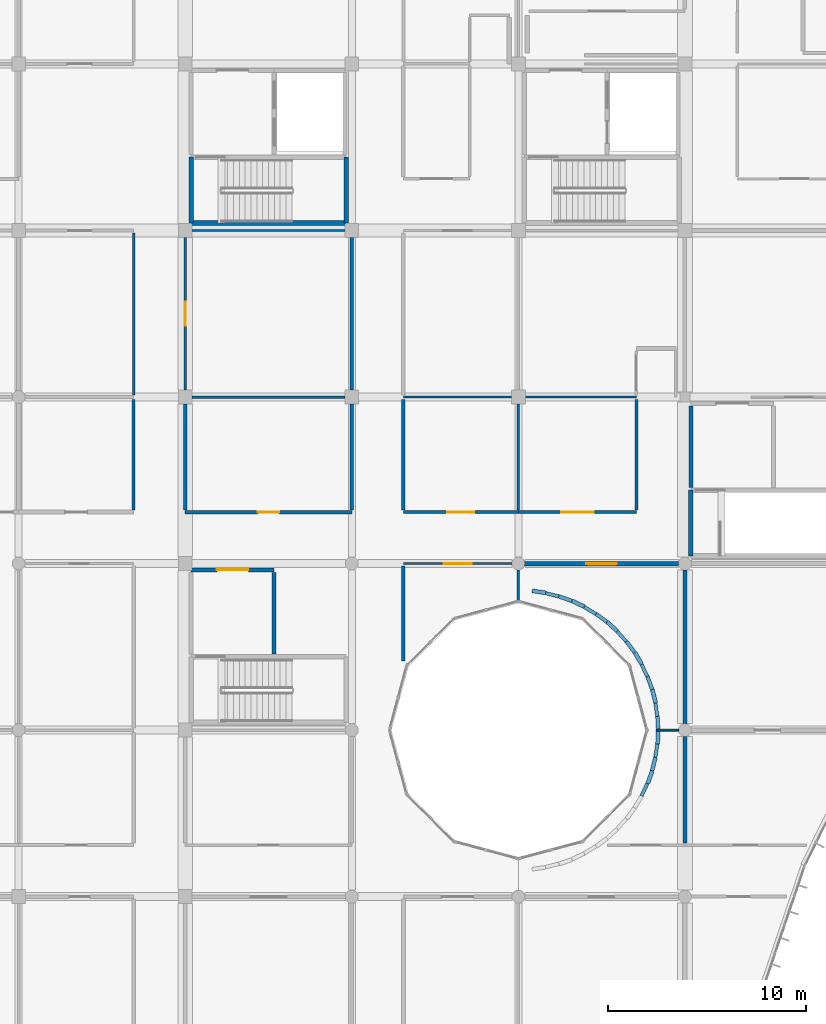
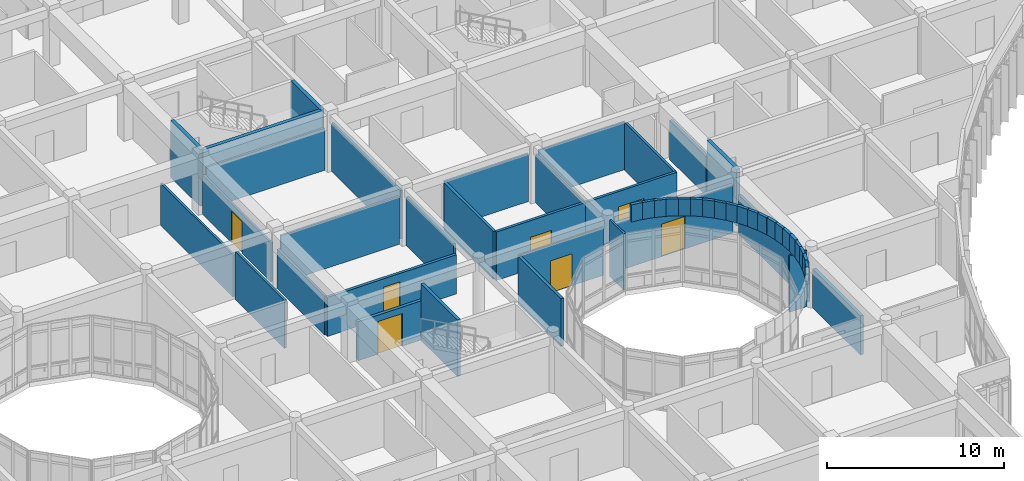
# One storey, part 91 of 119: 50 walls, 7 doors, 7 openings.
"""IFC4 building model written with IfcOpenShell, lengths in metres."""

from ifc_helpers import new_model, si_unit, direction, frame, frame_2d, origin, place, context, subcontext, project, spatial, rectangle, extrude, material, layer, layer_set, type_object, element, fill, save


model = new_model("IFC4")

# Units and contexts
model_context = context("Model", 3, precision=1e-05, world=origin(), true_north=direction((0.0, 1.0)))
body_context = subcontext(model_context, "Body", "Model", "MODEL_VIEW")
ifc_project = project(units=[si_unit("LENGTHUNIT", "METRE"), si_unit("AREAUNIT", "SQUARE_METRE"), si_unit("VOLUMEUNIT", "CUBIC_METRE"), si_unit("PLANEANGLEUNIT", "RADIAN"), si_unit("MASSUNIT", "GRAM", prefix="KILO")], contexts=[model_context])

# Site, building, storey
site_placement = place(None, origin())
site = spatial("IfcSite", under=ifc_project, at=site_placement, CompositionType="ELEMENT")
building_placement = place(site_placement, origin())
building = spatial("IfcBuilding", under=site, at=building_placement, Name="Bramfleet General Hospital", CompositionType="ELEMENT")
storey_placement = place(building_placement, frame((0.0, 0.0, 14.39990234375)))
storey = spatial("IfcBuildingStorey", under=building, at=storey_placement, Name="L03", CompositionType="ELEMENT", Elevation=14.39990234375)

# Wall, opening, door
ifc_material_1 = material(Name="Concrete C35/45", Category="concrete")
ifc_layer_1 = layer(ifc_material_1, 0.219970703125, Name="WT-IW-01")
ifc_layer_set_1 = layer_set([ifc_layer_1], Name="Concrete C35/45")
wall_type_1 = type_object("IfcWallType", Name="WT-IW-01", PredefinedType="PARTITIONING", material=ifc_layer_set_1)
wall_1_placement = place(storey_placement, frame((117.919921875, 75.60009765625, 0.0), z_axis=(0.0, 0.0, 1.0), x_axis=(1.0, 0.0, 0.0)))
wall_1 = element("IfcWall", 1, at=wall_1_placement, inside=storey, type_object=wall_type_1, Name="L03 Interior Partition IW-L03-2593", PredefinedType="PARTITIONING", context=body_context, shape_type="SweptSolid", body=[
    extrude(rectangle(XDim=7.760009765625, YDim=0.219970703125, at=frame_2d((3.8798828125, 0.0))), origin(), (0.0, 0.0, 1.0), 3.2900390625),
])
opening_1_placement = place(wall_1_placement, frame((3.110107421875, 0.0, 0.0)))
opening_1 = element("IfcOpeningElement", 2, at=opening_1_placement, cuts=wall_1, Name="Opening D1169", PredefinedType="OPENING", context=body_context, shape_type="SweptSolid", body=[
    extrude(rectangle(XDim=1.5400390625, YDim=2.239990234375, at=frame_2d((0.77001953125, 1.1201171875))), frame((0.0, 0.119873046875, 0.0), z_axis=(0.0, -1.0, 0.0), x_axis=(1.0, 0.0, 0.0)), (0.0, 0.0, 1.0), 0.239990234375),
])
ifc_material_2 = material(Name="Stainless steel and acoustic timber leaf", Category="steel")
door_type_1 = type_object("IfcDoorType", Name="DR-D-17", OperationType="NOTDEFINED", PredefinedType="DOOR", material=ifc_material_2)
door_1_placement = place(opening_1_placement, origin())
door_1 = element("IfcDoor", 3, at=door_1_placement, inside=storey, type_object=door_type_1, Name="Courtyard Waiting Lounge L03-1408 Door D1169", OperationType="SINGLE_SWING_RIGHT", OverallHeight=2.239990234375, OverallWidth=1.5400390625, PredefinedType="DOOR", context=body_context, shape_type="SweptSolid", body=[
    extrude(rectangle(XDim=1.5400390625, YDim=2.239990234375, at=frame_2d((0.77001953125, 1.1201171875))), frame((0.0, 0.02490234375, 0.0), z_axis=(0.0, -1.0, 0.0), x_axis=(1.0, 0.0, 0.0)), (0.0, 0.0, 1.0), 0.050048828125),
])
fill(opening_1, door_1)

# Wall
ifc_layer_2 = layer(ifc_material_1, 0.205078125, Name="WT-IW-02")
ifc_layer_set_2 = layer_set([ifc_layer_2], Name="Concrete C35/45")
wall_type_2 = type_object("IfcWallType", Name="WT-IW-02", PredefinedType="PARTITIONING", material=ifc_layer_set_2)
wall_2_placement = place(storey_placement, frame((105.280029296875, 71.0400390625, 0.0), z_axis=(0.0, 0.0, 1.0), x_axis=(0.0, 1.0, 0.0)))
element("IfcWall", 4, at=wall_2_placement, inside=storey, type_object=wall_type_2, Name="L03 C11 Lobby East Shaft Wall", PredefinedType="PARTITIONING", context=body_context, shape_type="SweptSolid", body=[
    extrude(rectangle(XDim=4.119873046875, YDim=0.205078125, at=frame_2d((2.06005859375, 0.0))), origin(), (0.0, 0.0, 1.0), 3.89013671875),
])

# Wall, opening, door
wall_3_placement = place(storey_placement, frame((101.10009765625, 75.280029296875, 0.0), z_axis=(0.0, 0.0, 1.0), x_axis=(1.0, 0.0, 0.0)))
wall_3 = element("IfcWall", 5, at=wall_3_placement, inside=storey, type_object=wall_type_2, Name="L03 C11 Lobby North Compartment Wall", PredefinedType="PARTITIONING", context=body_context, shape_type="SweptSolid", body=[
    extrude(rectangle(XDim=4.179931640625, YDim=0.205078125, at=frame_2d((2.08984375, 0.0))), origin(), (0.0, 0.0, 1.0), 2.690185546875),
])
opening_2_placement = place(wall_3_placement, frame((1.2900390625, 0.0, 0.0)))
opening_2 = element("IfcOpeningElement", 6, at=opening_2_placement, cuts=wall_3, Name="Opening D0146", PredefinedType="OPENING", context=body_context, shape_type="SweptSolid", body=[
    extrude(rectangle(XDim=1.60009765625, YDim=2.25, at=frame_2d((0.800048828125, 1.125))), frame((0.0, 0.112548828125, 0.0), z_axis=(0.0, -1.0, 0.0), x_axis=(1.0, 0.0, 0.0)), (0.0, 0.0, 1.0), 0.22509765625),
])
door_type_2 = type_object("IfcDoorType", Name="DR-D-04", OperationType="NOTDEFINED", PredefinedType="DOOR", material=ifc_material_2)
door_2_placement = place(opening_2_placement, origin())
door_2 = element("IfcDoor", 7, at=door_2_placement, inside=storey, type_object=door_type_2, Name="L03 C11 Lobby Fire Door D0146", OperationType="DOUBLE_SWING_LEFT", OverallHeight=2.25, OverallWidth=1.60009765625, PredefinedType="DOOR", context=body_context, shape_type="SweptSolid", body=[
    extrude(rectangle(XDim=1.60009765625, YDim=2.25, at=frame_2d((0.800048828125, 1.125))), frame((0.0, 0.02490234375, 0.0), z_axis=(0.0, -1.0, 0.0), x_axis=(1.0, 0.0, 0.0)), (0.0, 0.0, 1.0), 0.050048828125),
])
fill(opening_2, door_2)

# Walls
wall_4_placement = place(storey_placement, frame((126.300048828125, 79.43994140625, 0.0), z_axis=(0.0, 0.0, 1.0), x_axis=(0.0, 1.0, 0.0)))
element("IfcWall", 8, at=wall_4_placement, inside=storey, type_object=wall_type_2, Name="L03 C12 Lobby West Compartment Wall", PredefinedType="PARTITIONING", context=body_context, shape_type="SweptSolid", body=[
    extrude(rectangle(XDim=4.1201171875, YDim=0.205078125, at=frame_2d((2.06005859375, 0.0))), origin(), (0.0, 0.0, 1.0), 2.690185546875),
])
wall_5_placement = place(storey_placement, frame((126.0, 61.514892578125, 0.0), z_axis=(0.0, 0.0, 1.0), x_axis=(0.0, 1.0, 0.0)))
element("IfcWall", 9, at=wall_5_placement, inside=storey, type_object=wall_type_2, Name="L03 Interior Partition IW-L03-3002", PredefinedType="PARTITIONING", context=body_context, shape_type="SweptSolid", body=[
    extrude(rectangle(XDim=5.364990234375, YDim=0.205078125, at=frame_2d((2.6826171875, 0.0))), origin(), (0.0, 0.0, 1.0), 2.690185546875),
])
ifc_layer_3 = layer(ifc_material_1, 0.18994140625, Name="WT-IW-03")
ifc_layer_set_3 = layer_set([ifc_layer_3], Name="Concrete C35/45")
wall_type_3 = type_object("IfcWallType", Name="WT-IW-03", PredefinedType="PARTITIONING", material=ifc_layer_set_3)
wall_6_placement = place(storey_placement, frame((111.800048828125, 70.675048828125, 0.0), z_axis=(0.0, 0.0, 1.0), x_axis=(0.0, 1.0, 0.0)))
element("IfcWall", 10, at=wall_6_placement, inside=storey, type_object=wall_type_3, Name="L03 Interior Partition IW-L03-2967", PredefinedType="PARTITIONING", context=body_context, shape_type="SweptSolid", body=[
    extrude(rectangle(XDim=4.81005859375, YDim=0.18994140625, at=frame_2d((2.405029296875, 0.0))), origin(), (0.0, 0.0, 1.0), 3.2900390625),
])
wall_7_placement = place(storey_placement, frame((126.0, 67.52001953125, 0.0), z_axis=(0.0, 0.0, 1.0), x_axis=(0.0, 1.0, 0.0)))
element("IfcWall", 11, at=wall_7_placement, inside=storey, type_object=wall_type_3, Name="L03 Interior Partition IW-L03-3003", PredefinedType="PARTITIONING", context=body_context, shape_type="SweptSolid", body=[
    extrude(rectangle(XDim=7.760009765625, YDim=0.18994140625, at=frame_2d((3.8798828125, 0.0))), origin(), (0.0, 0.0, 1.0), 2.690185546875),
])

# Wall, opening, door
ifc_layer_4 = layer(ifc_material_1, 0.179931640625, Name="WT-IW-04")
ifc_layer_set_4 = layer_set([ifc_layer_4], Name="Concrete C35/45")
wall_type_4 = type_object("IfcWallType", Name="WT-IW-04", PredefinedType="PARTITIONING", material=ifc_layer_set_4)
wall_8_placement = place(storey_placement, frame((100.800048828125, 78.199951171875, 0.0), z_axis=(0.0, 0.0, 1.0), x_axis=(1.0, 0.0, 0.0)))
wall_8 = element("IfcWall", 12, at=wall_8_placement, inside=storey, type_object=wall_type_4, Name="L03 Interior Partition IW-L03-2608", PredefinedType="PARTITIONING", context=body_context, shape_type="SweptSolid", body=[
    extrude(rectangle(XDim=8.39990234375, YDim=0.179931640625, at=frame_2d((4.199951171875, 0.0))), origin(), (0.0, 0.0, 1.0), 2.690185546875),
])
opening_3_placement = place(wall_8_placement, frame((3.659912109375, 0.0, 0.0)))
opening_3 = element("IfcOpeningElement", 13, at=opening_3_placement, cuts=wall_8, Name="Opening D1142", PredefinedType="OPENING", context=body_context, shape_type="SweptSolid", body=[
    extrude(rectangle(XDim=1.080078125, YDim=2.1201171875, at=frame_2d((0.5400390625, 1.06005859375))), frame((0.0, 0.099853515625, 0.0), z_axis=(0.0, -1.0, 0.0), x_axis=(1.0, 0.0, 0.0)), (0.0, 0.0, 1.0), 0.199951171875),
])
door_type_3 = type_object("IfcDoorType", Name="DR-D-22", OperationType="NOTDEFINED", PredefinedType="DOOR", material=ifc_material_2)
door_3_placement = place(opening_3_placement, origin())
door_3 = element("IfcDoor", 14, at=door_3_placement, inside=storey, type_object=door_type_3, Name="Maternity Delivery Suite and Clinical Lab L03-1209 Door D1142", OperationType="SINGLE_SWING_LEFT", OverallHeight=2.1201171875, OverallWidth=1.080078125, PredefinedType="DOOR", context=body_context, shape_type="SweptSolid", body=[
    extrude(rectangle(XDim=1.080078125, YDim=2.1201171875, at=frame_2d((0.5400390625, 1.06005859375))), frame((0.0, 0.02490234375, 0.0), z_axis=(0.0, -1.0, 0.0), x_axis=(1.0, 0.0, 0.0)), (0.0, 0.0, 1.0), 0.050048828125),
])
fill(opening_3, door_3)

# Wall
wall_9_placement = place(storey_placement, frame((111.800048828125, 78.31494140625, 0.0), z_axis=(0.0, 0.0, 1.0), x_axis=(0.0, 1.0, 0.0)))
element("IfcWall", 15, at=wall_9_placement, inside=storey, type_object=wall_type_4, Name="L03 Interior Partition IW-L03-2968", PredefinedType="PARTITIONING", context=body_context, shape_type="SweptSolid", body=[
    extrude(rectangle(XDim=5.570068359375, YDim=0.179931640625, at=frame_2d((2.78515625, 0.0))), origin(), (0.0, 0.0, 1.0), 3.2900390625),
])

# Wall, opening, door
ifc_material_3 = material(Name="Gypsum plasterboard on acoustic steel studs", Category="steel")
ifc_layer_5 = layer(ifc_material_3, 0.169921875, Name="WT-IW-05")
ifc_layer_set_5 = layer_set([ifc_layer_5], Name="Gypsum plasterboard on acoustic steel studs")
wall_type_5 = type_object("IfcWallType", Name="WT-IW-05", PredefinedType="PARTITIONING", material=ifc_layer_set_5)
wall_10_placement = place(storey_placement, frame((111.800048828125, 78.199951171875, 0.0), z_axis=(0.0, 0.0, 1.0), x_axis=(1.0, 0.0, 0.0)))
wall_10 = element("IfcWall", 16, at=wall_10_placement, inside=storey, type_object=wall_type_5, Name="L03 Interior Partition IW-L03-2609", PredefinedType="PARTITIONING", context=body_context, shape_type="SweptSolid", body=[
    extrude(rectangle(XDim=5.800048828125, YDim=0.169921875, at=frame_2d((2.89990234375, 0.0))), origin(), (0.0, 0.0, 1.0), 3.340087890625),
])
opening_4_placement = place(wall_10_placement, frame((2.22509765625, 0.0, 0.0)))
opening_4 = element("IfcOpeningElement", 17, at=opening_4_placement, cuts=wall_10, Name="Opening D1154", PredefinedType="OPENING", context=body_context, shape_type="SweptSolid", body=[
    extrude(rectangle(XDim=1.35009765625, YDim=2.199951171875, at=frame_2d((0.675048828125, 1.10009765625))), frame((0.0, 0.094970703125, 0.0), z_axis=(0.0, -1.0, 0.0), x_axis=(1.0, 0.0, 0.0)), (0.0, 0.0, 1.0), 0.18994140625),
])
door_type_4 = type_object("IfcDoorType", Name="DR-D-02", OperationType="NOTDEFINED", PredefinedType="DOOR", material=ifc_material_2)
door_4_placement = place(opening_4_placement, origin())
door_4 = element("IfcDoor", 18, at=door_4_placement, inside=storey, type_object=door_type_4, Name="Maternity Delivery Suite and Clinical Lab L03-1309 Door D1154", OperationType="SINGLE_SWING_LEFT", OverallHeight=2.199951171875, OverallWidth=1.35009765625, PredefinedType="DOOR", context=body_context, shape_type="SweptSolid", body=[
    extrude(rectangle(XDim=1.35009765625, YDim=2.199951171875, at=frame_2d((0.675048828125, 1.10009765625))), frame((0.0, 0.02490234375, 0.0), z_axis=(0.0, -1.0, 0.0), x_axis=(1.0, 0.0, 0.0)), (0.0, 0.0, 1.0), 0.050048828125),
])
fill(opening_4, door_4)

# Wall
wall_11_placement = place(storey_placement, frame((109.199951171875, 78.31494140625, 0.0), z_axis=(0.0, 0.0, 1.0), x_axis=(0.0, 1.0, 0.0)))
element("IfcWall", 19, at=wall_11_placement, inside=storey, type_object=wall_type_5, Name="L03 Interior Partition IW-L03-2957", PredefinedType="PARTITIONING", context=body_context, shape_type="SweptSolid", body=[
    extrude(rectangle(XDim=5.340087890625, YDim=0.169921875, at=frame_2d((2.669921875, 0.0))), origin(), (0.0, 0.0, 1.0), 3.340087890625),
])

# Wall, opening, door
ifc_layer_6 = layer(ifc_material_3, 0.159912109375, Name="WT-IW-06")
ifc_layer_set_6 = layer_set([ifc_layer_6], Name="Gypsum plasterboard on acoustic steel studs")
wall_type_6 = type_object("IfcWallType", Name="WT-IW-06", PredefinedType="PARTITIONING", material=ifc_layer_set_6)
wall_12_placement = place(storey_placement, frame((117.60009765625, 78.199951171875, 0.0), z_axis=(0.0, 0.0, 1.0), x_axis=(1.0, 0.0, 0.0)))
wall_12 = element("IfcWall", 20, at=wall_12_placement, inside=storey, type_object=wall_type_6, Name="L03 Interior Partition IW-L03-2610", PredefinedType="PARTITIONING", context=body_context, shape_type="SweptSolid", body=[
    extrude(rectangle(XDim=5.949951171875, YDim=0.159912109375, at=frame_2d((2.97509765625, 0.0))), origin(), (0.0, 0.0, 1.0), 3.340087890625),
])
opening_5_placement = place(wall_12_placement, frame((2.155029296875, 0.0, 0.0)))
opening_5 = element("IfcOpeningElement", 21, at=opening_5_placement, cuts=wall_12, Name="Opening D1170", PredefinedType="OPENING", context=body_context, shape_type="SweptSolid", body=[
    extrude(rectangle(XDim=1.639892578125, YDim=2.280029296875, at=frame_2d((0.81982421875, 1.14013671875))), frame((0.0, 0.08984375, 0.0), z_axis=(0.0, -1.0, 0.0), x_axis=(1.0, 0.0, 0.0)), (0.0, 0.0, 1.0), 0.179931640625),
])
door_type_5 = type_object("IfcDoorType", Name="DR-D-18", OperationType="NOTDEFINED", PredefinedType="DOOR", material=ifc_material_2)
door_5_placement = place(opening_5_placement, origin())
door_5 = element("IfcDoor", 22, at=door_5_placement, inside=storey, type_object=door_type_5, Name="Maternity Delivery Suite and Clinical Lab L03-1409 Door D1170", OperationType="DOUBLE_SWING_LEFT", OverallHeight=2.280029296875, OverallWidth=1.639892578125, PredefinedType="DOOR", context=body_context, shape_type="SweptSolid", body=[
    extrude(rectangle(XDim=1.639892578125, YDim=2.280029296875, at=frame_2d((0.81982421875, 1.14013671875))), frame((0.0, 0.02490234375, 0.0), z_axis=(0.0, -1.0, 0.0), x_axis=(1.0, 0.0, 0.0)), (0.0, 0.0, 1.0), 0.050048828125),
])
fill(opening_5, door_5)

# Walls
wall_13_placement = place(storey_placement, frame((100.800048828125, 78.31494140625, 0.0), z_axis=(0.0, 0.0, 1.0), x_axis=(0.0, 1.0, 0.0)))
element("IfcWall", 23, at=wall_13_placement, inside=storey, type_object=wall_type_6, Name="L03 Interior Partition IW-L03-2946", PredefinedType="PARTITIONING", context=body_context, shape_type="SweptSolid", body=[
    extrude(rectangle(XDim=5.340087890625, YDim=0.159912109375, at=frame_2d((2.669921875, 0.0))), origin(), (0.0, 0.0, 1.0), 2.690185546875),
])
wall_14_placement = place(storey_placement, frame((109.199951171875, 84.344970703125, 0.0), z_axis=(0.0, 0.0, 1.0), x_axis=(0.0, 1.0, 0.0)))
element("IfcWall", 24, at=wall_14_placement, inside=storey, type_object=wall_type_6, Name="L03 Interior Partition IW-L03-2958", PredefinedType="PARTITIONING", context=body_context, shape_type="SweptSolid", body=[
    extrude(rectangle(XDim=7.7099609375, YDim=0.159912109375, at=frame_2d((3.85498046875, 0.0))), origin(), (0.0, 0.0, 1.0), 3.340087890625),
])
ifc_layer_7 = layer(ifc_material_3, 0.14990234375, Name="WT-IW-07")
ifc_layer_set_7 = layer_set([ifc_layer_7], Name="Gypsum plasterboard on acoustic steel studs")
wall_type_7 = type_object("IfcWallType", Name="WT-IW-07", PredefinedType="PARTITIONING", material=ifc_layer_set_7)
wall_15_placement = place(storey_placement, frame((98.199951171875, 78.31494140625, 0.0), z_axis=(0.0, 0.0, 1.0), x_axis=(0.0, 1.0, 0.0)))
element("IfcWall", 25, at=wall_15_placement, inside=storey, type_object=wall_type_7, Name="L03 Interior Partition IW-L03-2935", PredefinedType="PARTITIONING", context=body_context, shape_type="SweptSolid", body=[
    extrude(rectangle(XDim=5.570068359375, YDim=0.14990234375, at=frame_2d((2.78515625, 0.0))), origin(), (0.0, 0.0, 1.0), 3.2900390625),
])

# Wall, opening, door
wall_16_placement = place(storey_placement, frame((100.800048828125, 84.344970703125, 0.0), z_axis=(0.0, 0.0, 1.0), x_axis=(0.0, 1.0, 0.0)))
wall_16 = element("IfcWall", 26, at=wall_16_placement, inside=storey, type_object=wall_type_7, Name="L03 Interior Partition IW-L03-2947", PredefinedType="PARTITIONING", context=body_context, shape_type="SweptSolid", body=[
    extrude(rectangle(XDim=7.7099609375, YDim=0.14990234375, at=frame_2d((3.85498046875, 0.0))), origin(), (0.0, 0.0, 1.0), 2.690185546875),
])
opening_6_placement = place(wall_16_placement, frame((3.2451171875, 0.0, 0.0)))
opening_6 = element("IfcOpeningElement", 27, at=opening_6_placement, cuts=wall_16, Name="Opening D1143", PredefinedType="OPENING", context=body_context, shape_type="SweptSolid", body=[
    extrude(rectangle(XDim=1.219970703125, YDim=2.179931640625, at=frame_2d((0.60986328125, 1.08984375))), frame((0.0, 0.0849609375, 0.0), z_axis=(0.0, -1.0, 0.0), x_axis=(1.0, 0.0, 0.0)), (0.0, 0.0, 1.0), 0.169921875),
])
door_type_6 = type_object("IfcDoorType", Name="DR-D-23", OperationType="NOTDEFINED", PredefinedType="DOOR", material=ifc_material_2)
door_6_placement = place(opening_6_placement, origin())
door_6 = element("IfcDoor", 28, at=door_6_placement, inside=storey, type_object=door_type_6, Name="Maternity Delivery Suite and Clinical Lab L03-1210 Door D1143", OperationType="SINGLE_SWING_RIGHT", OverallHeight=2.179931640625, OverallWidth=1.219970703125, PredefinedType="DOOR", context=body_context, shape_type="SweptSolid", body=[
    extrude(rectangle(XDim=1.219970703125, YDim=2.179931640625, at=frame_2d((0.60986328125, 1.08984375))), frame((0.0, 0.02490234375, 0.0), z_axis=(0.0, -1.0, 0.0), x_axis=(1.0, 0.0, 0.0)), (0.0, 0.0, 1.0), 0.050048828125),
])
fill(opening_6, door_6)

# Walls
wall_17_placement = place(storey_placement, frame((123.550048828125, 78.31494140625, 0.0), z_axis=(0.0, 0.0, 1.0), x_axis=(0.0, 1.0, 0.0)))
element("IfcWall", 29, at=wall_17_placement, inside=storey, type_object=wall_type_7, Name="L03 Interior Partition IW-L03-2995", PredefinedType="PARTITIONING", context=body_context, shape_type="SweptSolid", body=[
    extrude(rectangle(XDim=5.570068359375, YDim=0.14990234375, at=frame_2d((2.78515625, 0.0))), origin(), (0.0, 0.0, 1.0), 3.2900390625),
])
ifc_layer_8 = layer(ifc_material_3, 0.139892578125, Name="WT-IW-08")
ifc_layer_set_8 = layer_set([ifc_layer_8], Name="Gypsum plasterboard on acoustic steel studs")
wall_type_8 = type_object("IfcWallType", Name="WT-IW-08", PredefinedType="PARTITIONING", material=ifc_layer_set_8)
wall_18_placement = place(storey_placement, frame((98.199951171875, 84.114990234375, 0.0), z_axis=(0.0, 0.0, 1.0), x_axis=(0.0, 1.0, 0.0)))
element("IfcWall", 30, at=wall_18_placement, inside=storey, type_object=wall_type_8, Name="L03 Interior Partition IW-L03-2936", PredefinedType="PARTITIONING", context=body_context, shape_type="SweptSolid", body=[
    extrude(rectangle(XDim=8.169921875, YDim=0.139892578125, at=frame_2d((4.0849609375, 0.0))), origin(), (0.0, 0.0, 1.0), 2.89013671875),
])
ifc_layer_9 = layer(ifc_material_3, 0.1298828125, Name="WT-IW-09")
ifc_layer_set_9 = layer_set([ifc_layer_9], Name="Gypsum plasterboard on acoustic steel studs")
wall_type_9 = type_object("IfcWallType", Name="WT-IW-09", PredefinedType="PARTITIONING", material=ifc_layer_set_9)
wall_19_placement = place(storey_placement, frame((101.14501953125, 84.0, 0.0), z_axis=(0.0, 0.0, 1.0), x_axis=(1.0, 0.0, 0.0)))
element("IfcWall", 31, at=wall_19_placement, inside=storey, type_object=wall_type_9, Name="L03 Interior Partition IW-L03-2625", PredefinedType="PARTITIONING", context=body_context, shape_type="SweptSolid", body=[
    extrude(rectangle(XDim=7.7099609375, YDim=0.1298828125, at=frame_2d((3.85498046875, 0.0))), origin(), (0.0, 0.0, 1.0), 3.2900390625),
])
wall_20_placement = place(storey_placement, frame((117.60009765625, 73.699951171875, 0.0), z_axis=(0.0, 0.0, 1.0), x_axis=(0.0, 1.0, 0.0)))
element("IfcWall", 32, at=wall_20_placement, inside=storey, type_object=wall_type_9, Name="L03 Interior Partition IW-L03-2985", PredefinedType="PARTITIONING", context=body_context, shape_type="SweptSolid", body=[
    extrude(rectangle(XDim=1.580078125, YDim=0.1298828125, at=frame_2d((0.7900390625, 0.0))), origin(), (0.0, 0.0, 1.0), 3.89013671875),
])
ifc_layer_10 = layer(ifc_material_3, 0.1201171875, Name="WT-IW-10")
ifc_layer_set_10 = layer_set([ifc_layer_10], Name="Gypsum plasterboard on acoustic steel studs")
wall_type_10 = type_object("IfcWallType", Name="WT-IW-10", PredefinedType="PARTITIONING", material=ifc_layer_set_10)
wall_21_placement = place(storey_placement, frame((111.800048828125, 84.0, 0.0), z_axis=(0.0, 0.0, 1.0), x_axis=(1.0, 0.0, 0.0)))
element("IfcWall", 33, at=wall_21_placement, inside=storey, type_object=wall_type_10, Name="L03 Interior Partition IW-L03-2626", PredefinedType="PARTITIONING", context=body_context, shape_type="SweptSolid", body=[
    extrude(rectangle(XDim=5.454833984375, YDim=0.1201171875, at=frame_2d((2.7275390625, 0.0))), origin(), (0.0, 0.0, 1.0), 3.2900390625),
])
wall_22_placement = place(storey_placement, frame((101.14501953125, 92.39990234375, 0.0), z_axis=(0.0, 0.0, 1.0), x_axis=(1.0, 0.0, 0.0)))
element("IfcWall", 34, at=wall_22_placement, inside=storey, type_object=wall_type_10, Name="L03 Interior Partition IW-L03-2650", PredefinedType="PARTITIONING", context=body_context, shape_type="SweptSolid", body=[
    extrude(rectangle(XDim=7.7099609375, YDim=0.1201171875, at=frame_2d((3.85498046875, 0.0))), origin(), (0.0, 0.0, 1.0), 2.89013671875),
])
wall_23_placement = place(storey_placement, frame((117.60009765625, 78.31494140625, 0.0), z_axis=(0.0, 0.0, 1.0), x_axis=(0.0, 1.0, 0.0)))
element("IfcWall", 35, at=wall_23_placement, inside=storey, type_object=wall_type_10, Name="L03 Interior Partition IW-L03-2986", PredefinedType="PARTITIONING", context=body_context, shape_type="SweptSolid", body=[
    extrude(rectangle(XDim=5.340087890625, YDim=0.1201171875, at=frame_2d((2.669921875, 0.0))), origin(), (0.0, 0.0, 1.0), 3.340087890625),
])
ifc_layer_11 = layer(ifc_material_3, 0.112060546875, Name="WT-IW-11")
ifc_layer_set_11 = layer_set([ifc_layer_11], Name="Gypsum plasterboard on acoustic steel studs")
wall_type_11 = type_object("IfcWallType", Name="WT-IW-11", PredefinedType="PARTITIONING", material=ifc_layer_set_11)
wall_24_placement = place(storey_placement, frame((117.945068359375, 84.0, 0.0), z_axis=(0.0, 0.0, 1.0), x_axis=(1.0, 0.0, 0.0)))
element("IfcWall", 36, at=wall_24_placement, inside=storey, type_object=wall_type_11, Name="L03 Interior Partition IW-L03-2627", PredefinedType="PARTITIONING", context=body_context, shape_type="SweptSolid", body=[
    extrude(rectangle(XDim=5.60498046875, YDim=0.112060546875, at=frame_2d((2.802490234375, 0.0))), origin(), (0.0, 0.0, 1.0), 3.2900390625),
])
ifc_layer_12 = layer(ifc_material_3, 0.10009765625, Name="WT-IW-12")
ifc_layer_set_12 = layer_set([ifc_layer_12], Name="Gypsum plasterboard on acoustic steel studs")
wall_type_12 = type_object("IfcWallType", Name="WT-IW-12", PredefinedType="PARTITIONING", material=ifc_layer_set_12)
wall_25_placement = place(storey_placement, frame((124.55078125, 67.199951171875, 0.0), z_axis=(0.0, 0.0, 1.0), x_axis=(1.0, 0.0, 0.0)))
element("IfcWall", 37, at=wall_25_placement, inside=storey, type_object=wall_type_12, Name="L03 Interior Partition IW-L03-2580", PredefinedType="PARTITIONING", context=body_context, shape_type="SweptSolid", body=[
    extrude(rectangle(XDim=1.129150390625, YDim=0.10009765625, at=frame_2d((0.564453125, 0.0))), origin(), (0.0, 0.0, 1.0), 3.89013671875),
])

# Wall, opening, door
wall_26_placement = place(storey_placement, frame((111.800048828125, 75.60009765625, 0.0), z_axis=(0.0, 0.0, 1.0), x_axis=(1.0, 0.0, 0.0)))
wall_26 = element("IfcWall", 38, at=wall_26_placement, inside=storey, type_object=wall_type_12, Name="L03 Interior Partition IW-L03-2592", PredefinedType="PARTITIONING", context=body_context, shape_type="SweptSolid", body=[
    extrude(rectangle(XDim=5.47998046875, YDim=0.10009765625, at=frame_2d((2.739990234375, 0.0))), origin(), (0.0, 0.0, 1.0), 3.2900390625),
])
opening_7_placement = place(wall_26_placement, frame((2.0400390625, 0.0, 0.0)))
opening_7 = element("IfcOpeningElement", 39, at=opening_7_placement, cuts=wall_26, Name="Opening D1153", PredefinedType="OPENING", context=body_context, shape_type="SweptSolid", body=[
    extrude(rectangle(XDim=1.39990234375, YDim=2.199951171875, at=frame_2d((0.699951171875, 1.10009765625))), frame((0.0, 0.06005859375, 0.0), z_axis=(0.0, -1.0, 0.0), x_axis=(1.0, 0.0, 0.0)), (0.0, 0.0, 1.0), 0.1201171875),
])
door_type_7 = type_object("IfcDoorType", Name="DR-D-01", OperationType="NOTDEFINED", PredefinedType="DOOR", material=ifc_material_2)
door_7_placement = place(opening_7_placement, origin())
door_7 = element("IfcDoor", 40, at=door_7_placement, inside=storey, type_object=door_type_7, Name="Courtyard Waiting Lounge L03-1308 Door D1153", OperationType="SINGLE_SWING_RIGHT", OverallHeight=2.199951171875, OverallWidth=1.39990234375, PredefinedType="DOOR", context=body_context, shape_type="SweptSolid", body=[
    extrude(rectangle(XDim=1.39990234375, YDim=2.199951171875, at=frame_2d((0.699951171875, 1.10009765625))), frame((0.0, 0.02490234375, 0.0), z_axis=(0.0, -1.0, 0.0), x_axis=(1.0, 0.0, 0.0)), (0.0, 0.0, 1.0), 0.050048828125),
])
fill(opening_7, door_7)

# Walls
ifc_material_4 = material(Name="Precast concrete C40/50", Category="concrete")
ifc_layer_13 = layer(ifc_material_4, 0.199951171875, Name="WT-PW-01")
ifc_layer_set_13 = layer_set([ifc_layer_13], Name="Precast concrete C40/50")
wall_type_13 = type_object("IfcWallType", Name="WT-PW-01", PredefinedType="PARAPET", material=ifc_layer_set_13)
for number, where, z_axis, x_axis, name in (
    (41, (124.12451171875, 64.50341796875, 4.18017578125), (0.0, 0.0, 1.0), (0.336880634672, 0.941547363643, 0.0), "Roof Parapet Wall 28"),
    (42, (124.62646484375, 66.513427734375, 4.18017578125), (0.0, 0.0, 1.0), (0.04904484985, 0.998796577238, 0.0), "Roof Parapet Wall 31"),
):
    element("IfcWall", number, at=place(storey_placement, frame(where, z_axis=z_axis, x_axis=x_axis)), inside=storey, type_object=wall_type_13, Name=name, PredefinedType="PARAPET", context=body_context, shape_type="SweptSolid", body=[
        extrude(rectangle(XDim=0.681884765625, YDim=0.199951171875, at=frame_2d((0.3408203125, 0.0))), origin(), (0.0, 0.0, 1.0), 1.169921875),
    ])
wall_27_placement = place(storey_placement, frame((124.523193359375, 68.58251953125, 4.18017578125), z_axis=(0.0, 0.0, 1.0), x_axis=(-0.243040918483, 0.970016036951, 0.0)))
element("IfcWall", 43, at=wall_27_placement, inside=storey, type_object=wall_type_13, Name="Roof Parapet Wall 34", PredefinedType="PARAPET", context=body_context, shape_type="SweptSolid", body=[
    extrude(rectangle(XDim=0.68212890625, YDim=0.199951171875, at=frame_2d((0.341064453125, 0.0))), origin(), (0.0, 0.0, 1.0), 1.169921875),
])
wall_28_placement = place(storey_placement, frame((123.82373046875, 70.53271484375, 4.18017578125), z_axis=(0.0, 0.0, 1.0), x_axis=(-0.514180001531, 0.857682299005, 0.0)))
element("IfcWall", 44, at=wall_28_placement, inside=storey, type_object=wall_type_13, Name="Roof Parapet Wall 37", PredefinedType="PARAPET", context=body_context, shape_type="SweptSolid", body=[
    extrude(rectangle(XDim=0.682373046875, YDim=0.199951171875, at=frame_2d((0.34130859375, 0.0))), origin(), (0.0, 0.0, 1.0), 1.169921875),
])
for number, where, z_axis, x_axis, name in (
    (45, (122.58837890625, 72.19580078125, 4.18017578125), (0.0, 0.0, 1.0), (-0.740975819087, 0.671531708506, 0.0), "Roof Parapet Wall 40"),
    (46, (120.923095703125, 73.4287109375, 4.18017578125), (0.0, 0.0, 1.0), (-0.903883567632, 0.427778559731, 0.0), "Roof Parapet Wall 43"),
):
    element("IfcWall", number, at=place(storey_placement, frame(where, z_axis=z_axis, x_axis=x_axis)), inside=storey, type_object=wall_type_13, Name=name, PredefinedType="PARAPET", context=body_context, shape_type="SweptSolid", body=[
        extrude(rectangle(XDim=0.68212890625, YDim=0.199951171875, at=frame_2d((0.341064453125, 0.0))), origin(), (0.0, 0.0, 1.0), 1.169921875),
    ])
wall_29_placement = place(storey_placement, frame((118.971923828125, 74.125244140625, 4.18017578125), z_axis=(0.0, 0.0, 1.0), x_axis=(-0.989168835608, 0.146782201447, 0.0)))
element("IfcWall", 47, at=wall_29_placement, inside=storey, type_object=wall_type_13, Name="Roof Parapet Wall 46", PredefinedType="PARAPET", context=body_context, shape_type="SweptSolid", body=[
    extrude(rectangle(XDim=0.681884765625, YDim=0.199951171875, at=frame_2d((0.3408203125, 0.0))), origin(), (0.0, 0.0, 1.0), 1.169921875),
])
ifc_layer_14 = layer(ifc_material_4, 0.18505859375, Name="WT-PW-02")
ifc_layer_set_14 = layer_set([ifc_layer_14], Name="Precast concrete C40/50")
wall_type_14 = type_object("IfcWallType", Name="WT-PW-02", PredefinedType="PARAPET", material=ifc_layer_set_14)
for number, where, z_axis, x_axis, name in (
    (48, (124.35009765625, 65.15771484375, 4.18017578125), (0.0, 0.0, 1.0), (0.243125332393, 0.969994882847, 0.0), "Roof Parapet Wall 29"),
    (49, (124.65234375, 67.205078125, 4.18017578125), (0.0, 0.0, 1.0), (-0.04904484985, 0.998796577238, 0.0), "Roof Parapet Wall 32"),
    (50, (124.34716796875, 69.251953125, 4.18017578125), (0.0, 0.0, 1.0), (-0.336880634672, 0.941547363643, 0.0), "Roof Parapet Wall 35"),
):
    element("IfcWall", number, at=place(storey_placement, frame(where, z_axis=z_axis, x_axis=x_axis)), inside=storey, type_object=wall_type_14, Name=name, PredefinedType="PARAPET", context=body_context, shape_type="SweptSolid", body=[
        extrude(rectangle(XDim=0.681884765625, YDim=0.18505859375, at=frame_2d((0.3408203125, 0.0))), origin(), (0.0, 0.0, 1.0), 1.169921875),
    ])
for number, where, z_axis, x_axis, name in (
    (51, (123.4609375, 71.122314453125, 4.18017578125), (0.0, 0.0, 1.0), (-0.595638376842, 0.803252714924, 0.0), "Roof Parapet Wall 38"),
    (52, (122.070068359375, 72.65478515625, 4.18017578125), (0.0, 0.0, 1.0), (-0.803252714924, 0.595638376842, 0.0), "Roof Parapet Wall 41"),
):
    element("IfcWall", number, at=place(storey_placement, frame(where, z_axis=z_axis, x_axis=x_axis)), inside=storey, type_object=wall_type_14, Name=name, PredefinedType="PARAPET", context=body_context, shape_type="SweptSolid", body=[
        extrude(rectangle(XDim=0.68212890625, YDim=0.18505859375, at=frame_2d((0.341064453125, 0.0))), origin(), (0.0, 0.0, 1.0), 1.169921875),
    ])
wall_30_placement = place(storey_placement, frame((120.294189453125, 73.717529296875, 4.18017578125), z_axis=(0.0, 0.0, 1.0), x_axis=(-0.941547363643, 0.336880634672, 0.0)))
element("IfcWall", 53, at=wall_30_placement, inside=storey, type_object=wall_type_14, Name="Roof Parapet Wall 44", PredefinedType="PARAPET", context=body_context, shape_type="SweptSolid", body=[
    extrude(rectangle(XDim=0.681884765625, YDim=0.18505859375, at=frame_2d((0.3408203125, 0.0))), origin(), (0.0, 0.0, 1.0), 1.169921875),
])
ifc_layer_15 = layer(ifc_material_4, 0.169921875, Name="WT-PW-03")
ifc_layer_set_15 = layer_set([ifc_layer_15], Name="Precast concrete C40/50")
wall_type_15 = type_object("IfcWallType", Name="WT-PW-03", PredefinedType="PARAPET", material=ifc_layer_set_15)
for number, where, z_axis, x_axis, name in (
    (54, (123.815185546875, 63.88330078125, 4.18017578125), (0.0, 0.0, 1.0), (0.427778559731, 0.903883567632, 0.0), "Roof Parapet Wall 27"),
    (55, (124.510498046875, 65.830078125, 4.18017578125), (0.0, 0.0, 1.0), (0.146730239995, 0.989176544744, 0.0), "Roof Parapet Wall 30"),
    (56, (124.610595703125, 67.89501953125, 4.18017578125), (0.0, 0.0, 1.0), (-0.146730239995, 0.989176544744, 0.0), "Roof Parapet Wall 33"),
    (57, (124.10693359375, 69.900146484375, 4.18017578125), (0.0, 0.0, 1.0), (-0.427640184665, 0.903949043066, 0.0), "Roof Parapet Wall 36"),
    (58, (123.042724609375, 71.6728515625, 4.18017578125), (0.0, 0.0, 1.0), (-0.671531708506, 0.740975819087, 0.0), "Roof Parapet Wall 39"),
):
    element("IfcWall", number, at=place(storey_placement, frame(where, z_axis=z_axis, x_axis=x_axis)), inside=storey, type_object=wall_type_15, Name=name, PredefinedType="PARAPET", context=body_context, shape_type="SweptSolid", body=[
        extrude(rectangle(XDim=0.68212890625, YDim=0.169921875, at=frame_2d((0.341064453125, 0.0))), origin(), (0.0, 0.0, 1.0), 1.169921875),
    ])
wall_31_placement = place(storey_placement, frame((121.510009765625, 73.060302734375, 4.18017578125), z_axis=(0.0, 0.0, 1.0), x_axis=(-0.857745521543, 0.514074527936, 0.0)))
element("IfcWall", 59, at=wall_31_placement, inside=storey, type_object=wall_type_15, Name="Roof Parapet Wall 42", PredefinedType="PARAPET", context=body_context, shape_type="SweptSolid", body=[
    extrude(rectangle(XDim=0.681884765625, YDim=0.169921875, at=frame_2d((0.3408203125, 0.0))), origin(), (0.0, 0.0, 1.0), 1.169921875),
])
wall_32_placement = place(storey_placement, frame((119.640625, 73.94287109375, 4.18017578125), z_axis=(0.0, 0.0, 1.0), x_axis=(-0.970016036951, 0.243040918483, 0.0)))
element("IfcWall", 60, at=wall_32_placement, inside=storey, type_object=wall_type_15, Name="Roof Parapet Wall 45", PredefinedType="PARAPET", context=body_context, shape_type="SweptSolid", body=[
    extrude(rectangle(XDim=0.68212890625, YDim=0.169921875, at=frame_2d((0.341064453125, 0.0))), origin(), (0.0, 0.0, 1.0), 1.169921875),
])
ifc_material_5 = material(Name="Concrete C40/50", Category="concrete")
ifc_layer_16 = layer(ifc_material_5, 0.239990234375, Name="WT-SW-240")
ifc_layer_set_16 = layer_set([ifc_layer_16], Name="Concrete C40/50")
wall_type_16 = type_object("IfcWallType", Name="WT-SW-240", PredefinedType="SHEAR", material=ifc_layer_set_16)
wall_33_placement = place(storey_placement, frame((101.10009765625, 92.780029296875, 0.0), z_axis=(0.0, 0.0, 1.0), x_axis=(1.0, 0.0, 0.0)))
element("IfcWall", 61, at=wall_33_placement, inside=storey, type_object=wall_type_16, Name="L03 C4 South Stair Shear Wall", PredefinedType="SHEAR", context=body_context, shape_type="SweptSolid", body=[
    extrude(rectangle(XDim=7.81982421875, YDim=0.239990234375, at=frame_2d((3.909912109375, 0.0))), origin(), (0.0, 0.0, 1.0), 3.900146484375),
])
for number, where, z_axis, x_axis, name in (
    (62, (101.10009765625, 92.780029296875, 0.0), (0.0, 0.0, 1.0), (0.0, 1.0, 0.0), "L03 C4 West Stair Shear Wall"),
    (63, (108.919921875, 92.780029296875, 0.0), (0.0, 0.0, 1.0), (0.0, 1.0, 0.0), "L03 C4 East Stair Shear Wall"),
    (64, (126.300048828125, 75.97998046875, 0.0), (0.0, 0.0, 1.0), (0.0, 1.0, 0.0), "L03 C12 West Stair Shear Wall"),
):
    element("IfcWall", number, at=place(storey_placement, frame(where, z_axis=z_axis, x_axis=x_axis)), inside=storey, type_object=wall_type_16, Name=name, PredefinedType="SHEAR", context=body_context, shape_type="SweptSolid", body=[
        extrude(rectangle(XDim=3.320068359375, YDim=0.239990234375, at=frame_2d((1.66015625, 0.0))), origin(), (0.0, 0.0, 1.0), 3.900146484375),
    ])

save(model, "model.ifc")
